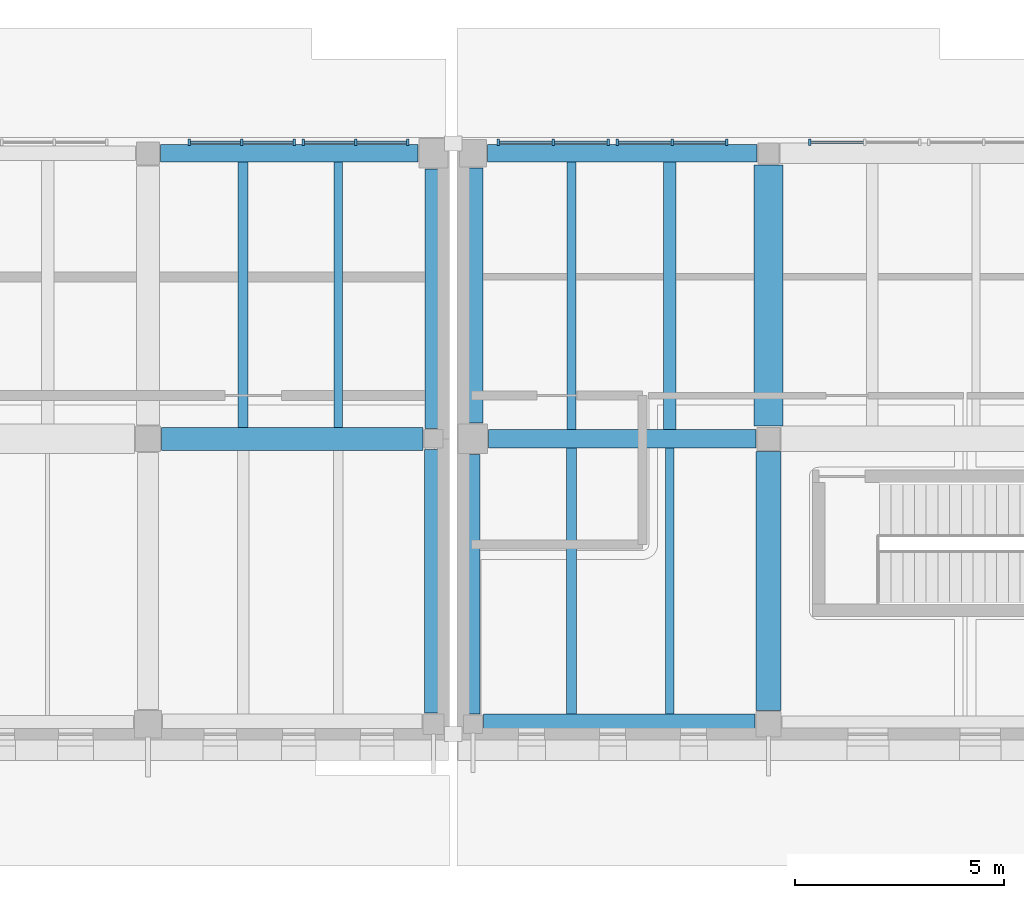
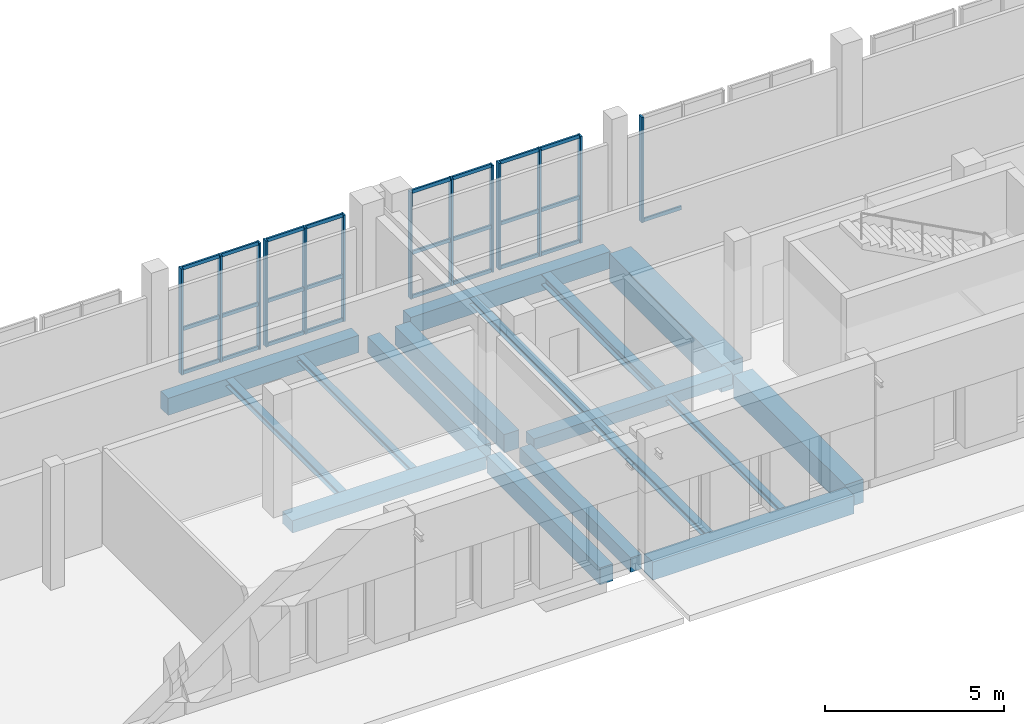
# One storey, part 16 of 77: 38 members, 17 beams, 5 elements without a shape of their own.
"""IFC4 building model written with IfcOpenShell, lengths in metres."""

from ifc_helpers import new_model, si_unit, direction, frame, origin, origin_2d, place, context, subcontext, project, spatial, rectangle, i_section, extrude, material, layer, layer_set, material_profile, profile_set, type_object, element, aggregate, save


model = new_model("IFC4")

# Units and contexts
model_context = context("Model", 3, precision=1e-05, world=origin(), true_north=direction((0.0, 1.0)))
body_context = subcontext(model_context, "Body", "Model", "MODEL_VIEW")
ifc_project = project(units=[si_unit("LENGTHUNIT", "METRE"), si_unit("AREAUNIT", "SQUARE_METRE"), si_unit("VOLUMEUNIT", "CUBIC_METRE"), si_unit("PLANEANGLEUNIT", "RADIAN"), si_unit("MASSUNIT", "GRAM", prefix="KILO")], contexts=[model_context])

# Site, building, storey
site_placement = place(None, origin())
site = spatial("IfcSite", under=ifc_project, at=site_placement, CompositionType="ELEMENT")
building_placement = place(site_placement, origin())
building = spatial("IfcBuilding", under=site, at=building_placement, Name="Vardoun Plaza Health Centre", CompositionType="ELEMENT")
storey_placement = place(building_placement, origin())
storey = spatial("IfcBuildingStorey", under=building, at=storey_placement, Name="L00", CompositionType="ELEMENT", Elevation=0.0)

# Beams
ifc_material_1 = material(Name="Concrete C35/45", Category="concrete")
ifc_material_profile_1 = material_profile(ifc_material_1, rectangle(XDim=0.35009765625, YDim=0.5, at=origin_2d()), Name="RC-BM 350x500")
ifc_profile_set_1 = profile_set([ifc_material_profile_1], Name="Concrete C35/45")
beam_type_1 = type_object("IfcBeamType", Name="B-08", PredefinedType="SPANDREL", material=ifc_profile_set_1)
beam_1_placement = place(storey_placement, frame((106.0400390625, 5.1298828125, -0.544921875), z_axis=(0.0, 1.0, 0.0), x_axis=(-1.0, 0.0, 0.0)))
element("IfcBeam", 1, at=beam_1_placement, inside=storey, type_object=beam_type_1, Name="V5 L00 Beam B-V5-L00-Y25", PredefinedType="SPANDREL", context=body_context, shape_type="SweptSolid", body=[
    extrude(rectangle(XDim=0.35009765625, YDim=0.5, at=origin_2d()), origin(), (0.0, 0.0, 1.0), 6.195068359375),
])
ifc_material_2 = material(Name="Concrete C35/45", Category="concrete")
ifc_material_profile_2 = material_profile(ifc_material_2, rectangle(XDim=0.39990234375, YDim=0.550048828125, at=origin_2d()), Name="RC-BM 400x550")
ifc_profile_set_2 = profile_set([ifc_material_profile_2], Name="Concrete C35/45")
beam_type_2 = type_object("IfcBeamType", Name="B-09", PredefinedType="SPANDREL", material=ifc_profile_set_2)
beam_2_placement = place(storey_placement, frame((105.10009765625, 11.949951171875, -0.590087890625), z_axis=(0.0, 1.0, 0.0), x_axis=(-1.0, 0.0, 0.0)))
element("IfcBeam", 2, at=beam_2_placement, inside=storey, type_object=beam_type_2, Name="V4 L00 Beam B-V4-L00-Y40", PredefinedType="SPANDREL", context=body_context, shape_type="SweptSolid", body=[
    extrude(rectangle(XDim=0.39990234375, YDim=0.550048828125, at=origin_2d()), origin(), (0.0, 0.0, 1.0), 6.195068359375),
])
ifc_material_3 = material(Name="Concrete C35/45", Category="concrete")
ifc_material_profile_3 = material_profile(ifc_material_3, rectangle(XDim=0.419921875, YDim=0.580078125, at=origin_2d()), Name="RC-BM 420x580")
ifc_profile_set_3 = profile_set([ifc_material_profile_3], Name="Concrete C35/45")
beam_type_3 = type_object("IfcBeamType", Name="B-10", PredefinedType="SPANDREL", material=ifc_profile_set_3)
beam_3_placement = place(storey_placement, frame((98.580078125, 18.52001953125, -0.60498046875), z_axis=(1.0, 0.0, 0.0), x_axis=(0.0, 1.0, 0.0)))
element("IfcBeam", 3, at=beam_3_placement, inside=storey, type_object=beam_type_3, Name="V4 L00 Beam B-V4-L00-X24", PredefinedType="SPANDREL", context=body_context, shape_type="SweptSolid", body=[
    extrude(rectangle(XDim=0.419921875, YDim=0.580078125, at=origin_2d()), origin(), (0.0, 0.0, 1.0), 6.14501953125),
])
beam_4_placement = place(storey_placement, frame((105.10009765625, 5.155029296875, -0.60498046875), z_axis=(0.0, 1.0, 0.0), x_axis=(-1.0, 0.0, 0.0)))
element("IfcBeam", 4, at=beam_4_placement, inside=storey, type_object=beam_type_3, Name="V4 L00 Beam B-V4-L00-Y39", PredefinedType="SPANDREL", context=body_context, shape_type="SweptSolid", body=[
    extrude(rectangle(XDim=0.419921875, YDim=0.580078125, at=origin_2d()), origin(), (0.0, 0.0, 1.0), 6.294921875),
])
beam_5_placement = place(storey_placement, frame((106.389892578125, 18.52001953125, -0.5849609375), z_axis=(1.0, 0.0, 0.0), x_axis=(0.0, 1.0, 0.0)))
element("IfcBeam", 5, at=beam_5_placement, inside=storey, type_object=beam_type_3, Name="V5 L00 Beam B-V5-L00-X03", PredefinedType="SPANDREL", context=body_context, shape_type="SweptSolid", body=[
    extrude(rectangle(XDim=0.419921875, YDim=0.580078125, at=origin_2d()), origin(), (0.0, 0.0, 1.0), 6.43505859375),
])
ifc_material_4 = material(Name="Concrete C35/45", Category="concrete")
ifc_material_profile_4 = material_profile(ifc_material_4, rectangle(XDim=0.449951171875, YDim=0.3798828125, at=origin_2d()), Name="RC-BM 450x380")
ifc_profile_set_4 = profile_set([ifc_material_profile_4], Name="Concrete C35/45")
beam_type_4 = type_object("IfcBeamType", Name="B-01", PredefinedType="BEAM", material=ifc_profile_set_4)
beam_6_placement = place(storey_placement, frame((106.4150390625, 11.699951171875, -0.485107421875), z_axis=(1.0, 0.0, 0.0), x_axis=(0.0, 1.0, 0.0)))
element("IfcBeam", 6, at=beam_6_placement, inside=storey, type_object=beam_type_4, Name="V5 L00 Beam B-V5-L00-X02", PredefinedType="BEAM", context=body_context, shape_type="SweptSolid", body=[
    extrude(rectangle(XDim=0.449951171875, YDim=0.3798828125, at=origin_2d()), origin(), (0.0, 0.0, 1.0), 6.385009765625),
])
ifc_material_5 = material(Name="Concrete C35/45", Category="concrete")
ifc_material_profile_5 = material_profile(ifc_material_5, rectangle(XDim=0.47998046875, YDim=0.6201171875, at=origin_2d()), Name="RC-BM 480x620")
ifc_profile_set_5 = profile_set([ifc_material_profile_5], Name="Concrete C35/45")
beam_type_5 = type_object("IfcBeamType", Name="B-12", PredefinedType="SPANDREL", material=ifc_profile_set_5)
beam_7_placement = place(storey_placement, frame((106.2900390625, 4.8798828125, -0.60498046875), z_axis=(1.0, 0.0, 0.0), x_axis=(0.0, 1.0, 0.0)))
element("IfcBeam", 7, at=beam_7_placement, inside=storey, type_object=beam_type_5, Name="V5 L00 Beam B-V5-L00-X01", PredefinedType="SPANDREL", context=body_context, shape_type="SweptSolid", body=[
    extrude(rectangle(XDim=0.47998046875, YDim=0.6201171875, at=origin_2d()), origin(), (0.0, 0.0, 1.0), 6.485107421875),
])
beam_8_placement = place(storey_placement, frame((106.0400390625, 12.074951171875, -0.60498046875), z_axis=(0.0, 1.0, 0.0), x_axis=(-1.0, 0.0, 0.0)))
element("IfcBeam", 8, at=beam_8_placement, inside=storey, type_object=beam_type_5, Name="V5 L00 Beam B-V5-L00-Y26", PredefinedType="SPANDREL", context=body_context, shape_type="SweptSolid", body=[
    extrude(rectangle(XDim=0.47998046875, YDim=0.6201171875, at=origin_2d()), origin(), (0.0, 0.0, 1.0), 6.094970703125),
])
ifc_material_6 = material(Name="Concrete C35/45", Category="concrete")
ifc_material_profile_6 = material_profile(ifc_material_6, rectangle(XDim=0.550048828125, YDim=0.419921875, at=origin_2d()), Name="RC-BM 550x420")
ifc_profile_set_6 = profile_set([ifc_material_profile_6], Name="Concrete C35/45")
beam_type_6 = type_object("IfcBeamType", Name="B-03", PredefinedType="BEAM", material=ifc_profile_set_6)
beam_9_placement = place(storey_placement, frame((98.60498046875, 11.699951171875, -0.52490234375), z_axis=(1.0, 0.0, 0.0), x_axis=(0.0, 1.0, 0.0)))
element("IfcBeam", 9, at=beam_9_placement, inside=storey, type_object=beam_type_6, Name="V4 L00 Beam B-V4-L00-X23", PredefinedType="BEAM", context=body_context, shape_type="SweptSolid", body=[
    extrude(rectangle(XDim=0.550048828125, YDim=0.419921875, at=origin_2d()), origin(), (0.0, 0.0, 1.0), 6.2451171875),
])
ifc_material_7 = material(Name="Concrete C40/50", Category="concrete")
ifc_material_profile_7 = material_profile(ifc_material_7, rectangle(XDim=0.60009765625, YDim=0.800048828125, at=origin_2d()), Name="RC-BM 600x800")
ifc_profile_set_7 = profile_set([ifc_material_profile_7], Name="Concrete C40/50")
beam_type_7 = type_object("IfcBeamType", Name="B-15", PredefinedType="JOIST", material=ifc_profile_set_7)
beam_10_placement = place(storey_placement, frame((113.10009765625, 5.205078125, -0.695068359375), z_axis=(0.0, 1.0, 0.0), x_axis=(-1.0, 0.0, 0.0)))
element("IfcBeam", 10, at=beam_10_placement, inside=storey, type_object=beam_type_7, Name="V5 L00 Beam B-V5-L00-Y27", PredefinedType="JOIST", context=body_context, shape_type="SweptSolid", body=[
    extrude(rectangle(XDim=0.60009765625, YDim=0.800048828125, at=origin_2d()), origin(), (0.0, 0.0, 1.0), 6.19482421875),
])
ifc_material_8 = material(Name="Concrete C40/50", Category="concrete")
ifc_material_profile_8 = material_profile(ifc_material_8, rectangle(XDim=0.699951171875, YDim=0.949951171875, at=origin_2d()), Name="RC-BM 700x950")
ifc_profile_set_8 = profile_set([ifc_material_profile_8], Name="Concrete C40/50")
beam_type_8 = type_object("IfcBeamType", Name="B-16", PredefinedType="LINTEL", material=ifc_profile_set_8)
beam_11_placement = place(storey_placement, frame((113.10009765625, 12.0, -0.77001953125), z_axis=(0.0, 1.0, 0.0), x_axis=(-1.0, 0.0, 0.0)))
element("IfcBeam", 11, at=beam_11_placement, inside=storey, type_object=beam_type_8, Name="V5 L00 Beam B-V5-L00-Y28", PredefinedType="LINTEL", context=body_context, shape_type="SweptSolid", body=[
    extrude(rectangle(XDim=0.699951171875, YDim=0.949951171875, at=origin_2d()), origin(), (0.0, 0.0, 1.0), 6.2451171875),
])
ifc_material_9 = material(Name="Steel S355J2", Category="steel")
ifc_material_profile_9 = material_profile(ifc_material_9, i_section(OverallWidth=0.199951171875, OverallDepth=0.18994140625, WebThickness=0.006591796875, FlangeThickness=0.010009765625, FilletRadius=0.01806640625, at=origin_2d()), Name="HEA 200")
ifc_profile_set_9 = profile_set([ifc_material_profile_9], Name="Steel S355J2")
beam_type_9 = type_object("IfcBeamType", Name="SB-09", PredefinedType="BEAM", material=ifc_profile_set_9)
beam_12_placement = place(storey_placement, frame((102.826904296875, 11.97509765625, -0.409912109375), z_axis=(0.0, 1.0, 0.0), x_axis=(-1.0, 0.0, 0.0)))
element("IfcBeam", 12, at=beam_12_placement, inside=storey, type_object=beam_type_9, Name="V4 L00 Secondary Floor Beam SJ-V4-L00-24", PredefinedType="BEAM", context=body_context, shape_type="SweptSolid", body=[
    extrude(i_section(OverallWidth=0.199951171875, OverallDepth=0.18994140625, WebThickness=0.006591796875, FlangeThickness=0.010009765625, FilletRadius=0.01806640625, at=origin_2d()), origin(), (0.0, 0.0, 1.0), 6.3349609375),
])
beam_13_placement = place(storey_placement, frame((110.7470703125, 5.1201171875, -0.389892578125), z_axis=(0.0, 1.0, 0.0), x_axis=(-1.0, 0.0, 0.0)))
element("IfcBeam", 13, at=beam_13_placement, inside=storey, type_object=beam_type_9, Name="V5 L00 Secondary Floor Beam SJ-V5-L00-03", PredefinedType="BEAM", context=body_context, shape_type="SweptSolid", body=[
    extrude(i_section(OverallWidth=0.199951171875, OverallDepth=0.18994140625, WebThickness=0.006591796875, FlangeThickness=0.010009765625, FilletRadius=0.01806640625, at=origin_2d()), origin(), (0.0, 0.0, 1.0), 6.35498046875),
])
ifc_material_10 = material(Name="Steel S355J2", Category="steel")
ifc_material_profile_10 = material_profile(ifc_material_10, i_section(OverallWidth=0.219970703125, OverallDepth=0.2099609375, WebThickness=0.007080078125, FlangeThickness=0.010986328125, FilletRadius=0.01806640625, at=origin_2d()), Name="HEA 220")
ifc_profile_set_10 = profile_set([ifc_material_profile_10], Name="Steel S355J2")
beam_type_10 = type_object("IfcBeamType", Name="SB-08", PredefinedType="BEAM", material=ifc_profile_set_10)
beam_14_placement = place(storey_placement, frame((108.39306640625, 11.925048828125, -0.39990234375), z_axis=(0.0, 1.0, 0.0), x_axis=(-1.0, 0.0, 0.0)))
element("IfcBeam", 14, at=beam_14_placement, inside=storey, type_object=beam_type_10, Name="V5 L00 Secondary Floor Beam SJ-V5-L00-02", PredefinedType="BEAM", context=body_context, shape_type="SweptSolid", body=[
    extrude(i_section(OverallWidth=0.219970703125, OverallDepth=0.2099609375, WebThickness=0.007080078125, FlangeThickness=0.010986328125, FilletRadius=0.01806640625, at=origin_2d()), origin(), (0.0, 0.0, 1.0), 6.385009765625),
])
ifc_material_11 = material(Name="Steel S355J2", Category="steel")
ifc_material_profile_11 = material_profile(ifc_material_11, i_section(OverallWidth=0.239990234375, OverallDepth=0.22998046875, WebThickness=0.007568359375, FlangeThickness=0.011962890625, FilletRadius=0.02099609375, at=origin_2d()), Name="HEA 240")
ifc_profile_set_11 = profile_set([ifc_material_profile_11], Name="Steel S355J2")
beam_type_11 = type_object("IfcBeamType", Name="SB-07", PredefinedType="BEAM", material=ifc_profile_set_11)
beam_15_placement = place(storey_placement, frame((100.552978515625, 11.97509765625, -0.429931640625), z_axis=(0.0, 1.0, 0.0), x_axis=(-1.0, 0.0, 0.0)))
element("IfcBeam", 15, at=beam_15_placement, inside=storey, type_object=beam_type_11, Name="V4 L00 Secondary Floor Beam SJ-V4-L00-22", PredefinedType="BEAM", context=body_context, shape_type="SweptSolid", body=[
    extrude(i_section(OverallWidth=0.239990234375, OverallDepth=0.22998046875, WebThickness=0.007568359375, FlangeThickness=0.011962890625, FilletRadius=0.02099609375, at=origin_2d()), origin(), (0.0, 0.0, 1.0), 6.3349609375),
])
beam_16_placement = place(storey_placement, frame((108.39306640625, 5.1201171875, -0.409912109375), z_axis=(0.0, 1.0, 0.0), x_axis=(-1.0, 0.0, 0.0)))
element("IfcBeam", 16, at=beam_16_placement, inside=storey, type_object=beam_type_11, Name="V5 L00 Secondary Floor Beam SJ-V5-L00-01", PredefinedType="BEAM", context=body_context, shape_type="SweptSolid", body=[
    extrude(i_section(OverallWidth=0.239990234375, OverallDepth=0.22998046875, WebThickness=0.007568359375, FlangeThickness=0.011962890625, FilletRadius=0.02099609375, at=origin_2d()), origin(), (0.0, 0.0, 1.0), 6.35498046875),
])
ifc_material_12 = material(Name="Steel S355J2", Category="steel")
ifc_material_profile_12 = material_profile(ifc_material_12, i_section(OverallWidth=0.300048828125, OverallDepth=0.360107421875, WebThickness=0.012451171875, FlangeThickness=0.0224609375, FilletRadius=0.027099609375, at=origin_2d()), Name="HEB 360")
ifc_profile_set_12 = profile_set([ifc_material_profile_12], Name="Steel S355J2")
beam_type_12 = type_object("IfcBeamType", Name="RB-04", PredefinedType="BEAM", material=ifc_profile_set_12)
beam_17_placement = place(storey_placement, frame((110.7470703125, 11.925048828125, -0.47509765625), z_axis=(0.0, 1.0, 0.0), x_axis=(-1.0, 0.0, 0.0)))
element("IfcBeam", 17, at=beam_17_placement, inside=storey, type_object=beam_type_12, Name="V5 L00 Secondary Floor Beam SJ-V5-L00-04", PredefinedType="BEAM", context=body_context, shape_type="SweptSolid", body=[
    extrude(i_section(OverallWidth=0.300048828125, OverallDepth=0.360107421875, WebThickness=0.012451171875, FlangeThickness=0.0224609375, FilletRadius=0.027099609375, at=origin_2d()), origin(), (0.0, 0.0, 1.0), 6.385009765625),
])

# Curtain wall, members
ifc_material_13 = material(Name="Aluminium Alloy EN AW-6063-T6 and Low-E Glass", Category="aluminium")
ifc_layer = layer(ifc_material_13, 0.14990234375)
ifc_layer_set = layer_set([ifc_layer], Name="Aluminium Alloy EN AW-6063-T6 and Low-E Glass")
curtain_wall_type = type_object("IfcCurtainWallType", Name="CW-03", PredefinedType="NOTDEFINED", material=ifc_layer_set)
curtain_wall_1_placement = place(storey_placement, origin())
curtain_wall_1 = element("IfcCurtainWall", 18, at=curtain_wall_1_placement, inside=storey, type_object=curtain_wall_type, Name="Curtain Wall CW-V4-115", PredefinedType="NOTDEFINED")
ifc_material_14 = material(Name="Aluminium Alloy EN AW-6063-T6", Category="aluminium")
ifc_material_profile_13 = material_profile(ifc_material_14, rectangle(XDim=0.159912109375, YDim=0.06005859375, at=origin_2d()), Name="CWM 60x160")
ifc_profile_set_13 = profile_set([ifc_material_profile_13], Name="Aluminium Alloy EN AW-6063-T6")
member_type_1 = type_object("IfcMemberType", Name="CW-M1", PredefinedType="MULLION", material=ifc_profile_set_13)
member_1_placement = place(storey_placement, frame((99.27001953125, 18.780029296875, 0.0), z_axis=(0.0, 0.0, 1.0), x_axis=(0.0, 1.0, 0.0)))
member_1 = element("IfcMember", 19, at=member_1_placement, type_object=member_type_1, Name="CW-V4-115 mullion 1", PredefinedType="MULLION", context=body_context, shape_type="SweptSolid", body=[
    extrude(rectangle(XDim=0.159912109375, YDim=0.06005859375, at=origin_2d()), origin(), (0.0, 0.0, 1.0), 3.6201171875),
])
member_2_placement = place(storey_placement, frame((100.52001953125, 18.780029296875, 0.0), z_axis=(0.0, 0.0, 1.0), x_axis=(0.0, 1.0, 0.0)))
member_2 = element("IfcMember", 20, at=member_2_placement, type_object=member_type_1, Name="CW-V4-115 mullion 2", PredefinedType="MULLION", context=body_context, shape_type="SweptSolid", body=[
    extrude(rectangle(XDim=0.159912109375, YDim=0.06005859375, at=origin_2d()), origin(), (0.0, 0.0, 1.0), 3.6201171875),
])
member_3_placement = place(storey_placement, frame((101.77001953125, 18.780029296875, 0.0), z_axis=(0.0, 0.0, 1.0), x_axis=(0.0, 1.0, 0.0)))
member_3 = element("IfcMember", 21, at=member_3_placement, type_object=member_type_1, Name="CW-V4-115 mullion 3", PredefinedType="MULLION", context=body_context, shape_type="SweptSolid", body=[
    extrude(rectangle(XDim=0.159912109375, YDim=0.06005859375, at=origin_2d()), origin(), (0.0, 0.0, 1.0), 3.6201171875),
])

curtain_wall_2_placement = place(storey_placement, origin())
curtain_wall_2 = element("IfcCurtainWall", 22, at=curtain_wall_2_placement, inside=storey, type_object=curtain_wall_type, Name="Curtain Wall CW-V4-116", PredefinedType="NOTDEFINED")
member_4_placement = place(storey_placement, frame((101.989990234375, 18.780029296875, 0.0), z_axis=(0.0, 0.0, 1.0), x_axis=(0.0, 1.0, 0.0)))
member_4 = element("IfcMember", 23, at=member_4_placement, type_object=member_type_1, Name="CW-V4-116 mullion 1", PredefinedType="MULLION", context=body_context, shape_type="SweptSolid", body=[
    extrude(rectangle(XDim=0.159912109375, YDim=0.06005859375, at=origin_2d()), origin(), (0.0, 0.0, 1.0), 3.6201171875),
])
member_5_placement = place(storey_placement, frame((103.239990234375, 18.780029296875, 0.0), z_axis=(0.0, 0.0, 1.0), x_axis=(0.0, 1.0, 0.0)))
member_5 = element("IfcMember", 24, at=member_5_placement, type_object=member_type_1, Name="CW-V4-116 mullion 2", PredefinedType="MULLION", context=body_context, shape_type="SweptSolid", body=[
    extrude(rectangle(XDim=0.159912109375, YDim=0.06005859375, at=origin_2d()), origin(), (0.0, 0.0, 1.0), 3.6201171875),
])
member_6_placement = place(storey_placement, frame((104.489990234375, 18.780029296875, 0.0), z_axis=(0.0, 0.0, 1.0), x_axis=(0.0, 1.0, 0.0)))
member_6 = element("IfcMember", 25, at=member_6_placement, type_object=member_type_1, Name="CW-V4-116 mullion 3", PredefinedType="MULLION", context=body_context, shape_type="SweptSolid", body=[
    extrude(rectangle(XDim=0.159912109375, YDim=0.06005859375, at=origin_2d()), origin(), (0.0, 0.0, 1.0), 3.6201171875),
])

curtain_wall_3_placement = place(storey_placement, origin())
curtain_wall_3 = element("IfcCurtainWall", 26, at=curtain_wall_3_placement, inside=storey, type_object=curtain_wall_type, Name="Curtain Wall CW-V5-133", PredefinedType="NOTDEFINED")
member_7_placement = place(storey_placement, frame((106.650146484375, 18.780029296875, 0.0), z_axis=(0.0, 0.0, 1.0), x_axis=(0.0, 1.0, 0.0)))
member_7 = element("IfcMember", 27, at=member_7_placement, type_object=member_type_1, Name="CW-V5-133 mullion 1", PredefinedType="MULLION", context=body_context, shape_type="SweptSolid", body=[
    extrude(rectangle(XDim=0.159912109375, YDim=0.06005859375, at=origin_2d()), origin(), (0.0, 0.0, 1.0), 3.639892578125),
])
member_8_placement = place(storey_placement, frame((107.9599609375, 18.780029296875, 0.0), z_axis=(0.0, 0.0, 1.0), x_axis=(0.0, 1.0, 0.0)))
member_8 = element("IfcMember", 28, at=member_8_placement, type_object=member_type_1, Name="CW-V5-133 mullion 2", PredefinedType="MULLION", context=body_context, shape_type="SweptSolid", body=[
    extrude(rectangle(XDim=0.159912109375, YDim=0.06005859375, at=origin_2d()), origin(), (0.0, 0.0, 1.0), 3.639892578125),
])
member_9_placement = place(storey_placement, frame((109.27001953125, 18.780029296875, 0.0), z_axis=(0.0, 0.0, 1.0), x_axis=(0.0, 1.0, 0.0)))
member_9 = element("IfcMember", 29, at=member_9_placement, type_object=member_type_1, Name="CW-V5-133 mullion 3", PredefinedType="MULLION", context=body_context, shape_type="SweptSolid", body=[
    extrude(rectangle(XDim=0.159912109375, YDim=0.06005859375, at=origin_2d()), origin(), (0.0, 0.0, 1.0), 3.639892578125),
])

curtain_wall_4_placement = place(storey_placement, origin())
curtain_wall_4 = element("IfcCurtainWall", 30, at=curtain_wall_4_placement, inside=storey, type_object=curtain_wall_type, Name="Curtain Wall CW-V5-134", PredefinedType="NOTDEFINED")
member_10_placement = place(storey_placement, frame((109.489990234375, 18.780029296875, 0.0), z_axis=(0.0, 0.0, 1.0), x_axis=(0.0, 1.0, 0.0)))
member_10 = element("IfcMember", 31, at=member_10_placement, type_object=member_type_1, Name="CW-V5-134 mullion 1", PredefinedType="MULLION", context=body_context, shape_type="SweptSolid", body=[
    extrude(rectangle(XDim=0.159912109375, YDim=0.06005859375, at=origin_2d()), origin(), (0.0, 0.0, 1.0), 3.639892578125),
])
member_11_placement = place(storey_placement, frame((110.800048828125, 18.780029296875, 0.0), z_axis=(0.0, 0.0, 1.0), x_axis=(0.0, 1.0, 0.0)))
member_11 = element("IfcMember", 32, at=member_11_placement, type_object=member_type_1, Name="CW-V5-134 mullion 2", PredefinedType="MULLION", context=body_context, shape_type="SweptSolid", body=[
    extrude(rectangle(XDim=0.159912109375, YDim=0.06005859375, at=origin_2d()), origin(), (0.0, 0.0, 1.0), 3.639892578125),
])
member_12_placement = place(storey_placement, frame((112.110107421875, 18.780029296875, 0.0), z_axis=(0.0, 0.0, 1.0), x_axis=(0.0, 1.0, 0.0)))
member_12 = element("IfcMember", 33, at=member_12_placement, type_object=member_type_1, Name="CW-V5-134 mullion 3", PredefinedType="MULLION", context=body_context, shape_type="SweptSolid", body=[
    extrude(rectangle(XDim=0.159912109375, YDim=0.06005859375, at=origin_2d()), origin(), (0.0, 0.0, 1.0), 3.639892578125),
])

# Curtain wall, member
curtain_wall_5_placement = place(storey_placement, origin())
curtain_wall_5 = element("IfcCurtainWall", 34, at=curtain_wall_5_placement, inside=storey, type_object=curtain_wall_type, Name="Curtain Wall CW-V5-135", PredefinedType="NOTDEFINED")
member_13_placement = place(storey_placement, frame((114.090087890625, 18.780029296875, 0.0), z_axis=(0.0, 0.0, 1.0), x_axis=(0.0, 1.0, 0.0)))
member_13 = element("IfcMember", 35, at=member_13_placement, type_object=member_type_1, Name="CW-V5-135 mullion 1", PredefinedType="MULLION", context=body_context, shape_type="SweptSolid", body=[
    extrude(rectangle(XDim=0.159912109375, YDim=0.06005859375, at=origin_2d()), origin(), (0.0, 0.0, 1.0), 3.590087890625),
])

# Member
ifc_material_15 = material(Name="Aluminium Alloy EN AW-6063-T6", Category="aluminium")
ifc_material_profile_14 = material_profile(ifc_material_15, rectangle(XDim=0.06005859375, YDim=0.1201171875, at=origin_2d()), Name="CWT 60x120")
ifc_profile_set_14 = profile_set([ifc_material_profile_14], Name="Aluminium Alloy EN AW-6063-T6")
member_type_2 = type_object("IfcMemberType", Name="CW-T1", PredefinedType="USERDEFINED", material=ifc_profile_set_14)
member_14_placement = place(storey_placement, frame((99.300048828125, 18.780029296875, 0.030029296875), z_axis=(1.0, 0.0, 0.0), x_axis=(0.0, 1.0, 0.0)))
member_14 = element("IfcMember", 36, at=member_14_placement, type_object=member_type_2, Name="CW-V4-115 transom 1.1", ObjectType="TRANSOM", PredefinedType="USERDEFINED", context=body_context, shape_type="SweptSolid", body=[
    extrude(rectangle(XDim=0.06005859375, YDim=0.1201171875, at=origin_2d()), origin(), (0.0, 0.0, 1.0), 1.18994140625),
])

member_15_placement = place(storey_placement, frame((99.300048828125, 18.780029296875, 1.5205078125), z_axis=(1.0, 0.0, 0.0), x_axis=(0.0, 1.0, 0.0)))
member_15 = element("IfcMember", 37, at=member_15_placement, type_object=member_type_2, Name="CW-V4-115 transom 1.2", ObjectType="TRANSOM", PredefinedType="USERDEFINED", context=body_context, shape_type="SweptSolid", body=[
    extrude(rectangle(XDim=0.06005859375, YDim=0.1201171875, at=origin_2d()), origin(), (0.0, 0.0, 1.0), 1.18994140625),
])

member_16_placement = place(storey_placement, frame((99.300048828125, 18.780029296875, 3.590087890625), z_axis=(1.0, 0.0, 0.0), x_axis=(0.0, 1.0, 0.0)))
member_16 = element("IfcMember", 38, at=member_16_placement, type_object=member_type_2, Name="CW-V4-115 transom 1.3", ObjectType="TRANSOM", PredefinedType="USERDEFINED", context=body_context, shape_type="SweptSolid", body=[
    extrude(rectangle(XDim=0.06005859375, YDim=0.1201171875, at=origin_2d()), origin(), (0.0, 0.0, 1.0), 1.18994140625),
])

member_17_placement = place(storey_placement, frame((100.550048828125, 18.780029296875, 0.030029296875), z_axis=(1.0, 0.0, 0.0), x_axis=(0.0, 1.0, 0.0)))
member_17 = element("IfcMember", 39, at=member_17_placement, type_object=member_type_2, Name="CW-V4-115 transom 2.1", ObjectType="TRANSOM", PredefinedType="USERDEFINED", context=body_context, shape_type="SweptSolid", body=[
    extrude(rectangle(XDim=0.06005859375, YDim=0.1201171875, at=origin_2d()), origin(), (0.0, 0.0, 1.0), 1.18994140625),
])

member_18_placement = place(storey_placement, frame((100.550048828125, 18.780029296875, 1.5205078125), z_axis=(1.0, 0.0, 0.0), x_axis=(0.0, 1.0, 0.0)))
member_18 = element("IfcMember", 40, at=member_18_placement, type_object=member_type_2, Name="CW-V4-115 transom 2.2", ObjectType="TRANSOM", PredefinedType="USERDEFINED", context=body_context, shape_type="SweptSolid", body=[
    extrude(rectangle(XDim=0.06005859375, YDim=0.1201171875, at=origin_2d()), origin(), (0.0, 0.0, 1.0), 1.18994140625),
])

member_19_placement = place(storey_placement, frame((100.550048828125, 18.780029296875, 3.590087890625), z_axis=(1.0, 0.0, 0.0), x_axis=(0.0, 1.0, 0.0)))
member_19 = element("IfcMember", 41, at=member_19_placement, type_object=member_type_2, Name="CW-V4-115 transom 2.3", ObjectType="TRANSOM", PredefinedType="USERDEFINED", context=body_context, shape_type="SweptSolid", body=[
    extrude(rectangle(XDim=0.06005859375, YDim=0.1201171875, at=origin_2d()), origin(), (0.0, 0.0, 1.0), 1.18994140625),
])

aggregate(curtain_wall_1, [member_1, member_2, member_3, member_14, member_15, member_16, member_17, member_18, member_19])

member_20_placement = place(storey_placement, frame((102.02001953125, 18.780029296875, 0.030029296875), z_axis=(1.0, 0.0, 0.0), x_axis=(0.0, 1.0, 0.0)))
member_20 = element("IfcMember", 42, at=member_20_placement, type_object=member_type_2, Name="CW-V4-116 transom 1.1", ObjectType="TRANSOM", PredefinedType="USERDEFINED", context=body_context, shape_type="SweptSolid", body=[
    extrude(rectangle(XDim=0.06005859375, YDim=0.1201171875, at=origin_2d()), origin(), (0.0, 0.0, 1.0), 1.18994140625),
])

member_21_placement = place(storey_placement, frame((102.02001953125, 18.780029296875, 1.5205078125), z_axis=(1.0, 0.0, 0.0), x_axis=(0.0, 1.0, 0.0)))
member_21 = element("IfcMember", 43, at=member_21_placement, type_object=member_type_2, Name="CW-V4-116 transom 1.2", ObjectType="TRANSOM", PredefinedType="USERDEFINED", context=body_context, shape_type="SweptSolid", body=[
    extrude(rectangle(XDim=0.06005859375, YDim=0.1201171875, at=origin_2d()), origin(), (0.0, 0.0, 1.0), 1.18994140625),
])

member_22_placement = place(storey_placement, frame((102.02001953125, 18.780029296875, 3.590087890625), z_axis=(1.0, 0.0, 0.0), x_axis=(0.0, 1.0, 0.0)))
member_22 = element("IfcMember", 44, at=member_22_placement, type_object=member_type_2, Name="CW-V4-116 transom 1.3", ObjectType="TRANSOM", PredefinedType="USERDEFINED", context=body_context, shape_type="SweptSolid", body=[
    extrude(rectangle(XDim=0.06005859375, YDim=0.1201171875, at=origin_2d()), origin(), (0.0, 0.0, 1.0), 1.18994140625),
])

member_23_placement = place(storey_placement, frame((103.27001953125, 18.780029296875, 0.030029296875), z_axis=(1.0, 0.0, 0.0), x_axis=(0.0, 1.0, 0.0)))
member_23 = element("IfcMember", 45, at=member_23_placement, type_object=member_type_2, Name="CW-V4-116 transom 2.1", ObjectType="TRANSOM", PredefinedType="USERDEFINED", context=body_context, shape_type="SweptSolid", body=[
    extrude(rectangle(XDim=0.06005859375, YDim=0.1201171875, at=origin_2d()), origin(), (0.0, 0.0, 1.0), 1.18994140625),
])

member_24_placement = place(storey_placement, frame((103.27001953125, 18.780029296875, 1.5205078125), z_axis=(1.0, 0.0, 0.0), x_axis=(0.0, 1.0, 0.0)))
member_24 = element("IfcMember", 46, at=member_24_placement, type_object=member_type_2, Name="CW-V4-116 transom 2.2", ObjectType="TRANSOM", PredefinedType="USERDEFINED", context=body_context, shape_type="SweptSolid", body=[
    extrude(rectangle(XDim=0.06005859375, YDim=0.1201171875, at=origin_2d()), origin(), (0.0, 0.0, 1.0), 1.18994140625),
])

member_25_placement = place(storey_placement, frame((103.27001953125, 18.780029296875, 3.590087890625), z_axis=(1.0, 0.0, 0.0), x_axis=(0.0, 1.0, 0.0)))
member_25 = element("IfcMember", 47, at=member_25_placement, type_object=member_type_2, Name="CW-V4-116 transom 2.3", ObjectType="TRANSOM", PredefinedType="USERDEFINED", context=body_context, shape_type="SweptSolid", body=[
    extrude(rectangle(XDim=0.06005859375, YDim=0.1201171875, at=origin_2d()), origin(), (0.0, 0.0, 1.0), 1.18994140625),
])

aggregate(curtain_wall_2, [member_4, member_5, member_6, member_20, member_21, member_22, member_23, member_24, member_25])

member_26_placement = place(storey_placement, frame((106.679931640625, 18.780029296875, 0.030029296875), z_axis=(1.0, 0.0, 0.0), x_axis=(0.0, 1.0, 0.0)))
member_26 = element("IfcMember", 48, at=member_26_placement, type_object=member_type_2, Name="CW-V5-133 transom 1.1", ObjectType="TRANSOM", PredefinedType="USERDEFINED", context=body_context, shape_type="SweptSolid", body=[
    extrude(rectangle(XDim=0.06005859375, YDim=0.1201171875, at=origin_2d()), origin(), (0.0, 0.0, 1.0), 1.25),
])

member_27_placement = place(storey_placement, frame((106.679931640625, 18.780029296875, 1.52880859375), z_axis=(1.0, 0.0, 0.0), x_axis=(0.0, 1.0, 0.0)))
member_27 = element("IfcMember", 49, at=member_27_placement, type_object=member_type_2, Name="CW-V5-133 transom 1.2", ObjectType="TRANSOM", PredefinedType="USERDEFINED", context=body_context, shape_type="SweptSolid", body=[
    extrude(rectangle(XDim=0.06005859375, YDim=0.1201171875, at=origin_2d()), origin(), (0.0, 0.0, 1.0), 1.25),
])

member_28_placement = place(storey_placement, frame((106.679931640625, 18.780029296875, 3.610107421875), z_axis=(1.0, 0.0, 0.0), x_axis=(0.0, 1.0, 0.0)))
member_28 = element("IfcMember", 50, at=member_28_placement, type_object=member_type_2, Name="CW-V5-133 transom 1.3", ObjectType="TRANSOM", PredefinedType="USERDEFINED", context=body_context, shape_type="SweptSolid", body=[
    extrude(rectangle(XDim=0.06005859375, YDim=0.1201171875, at=origin_2d()), origin(), (0.0, 0.0, 1.0), 1.25),
])

member_29_placement = place(storey_placement, frame((107.989990234375, 18.780029296875, 0.030029296875), z_axis=(1.0, 0.0, 0.0), x_axis=(0.0, 1.0, 0.0)))
member_29 = element("IfcMember", 51, at=member_29_placement, type_object=member_type_2, Name="CW-V5-133 transom 2.1", ObjectType="TRANSOM", PredefinedType="USERDEFINED", context=body_context, shape_type="SweptSolid", body=[
    extrude(rectangle(XDim=0.06005859375, YDim=0.1201171875, at=origin_2d()), origin(), (0.0, 0.0, 1.0), 1.25),
])

member_30_placement = place(storey_placement, frame((107.989990234375, 18.780029296875, 1.52880859375), z_axis=(1.0, 0.0, 0.0), x_axis=(0.0, 1.0, 0.0)))
member_30 = element("IfcMember", 52, at=member_30_placement, type_object=member_type_2, Name="CW-V5-133 transom 2.2", ObjectType="TRANSOM", PredefinedType="USERDEFINED", context=body_context, shape_type="SweptSolid", body=[
    extrude(rectangle(XDim=0.06005859375, YDim=0.1201171875, at=origin_2d()), origin(), (0.0, 0.0, 1.0), 1.25),
])

member_31_placement = place(storey_placement, frame((107.989990234375, 18.780029296875, 3.610107421875), z_axis=(1.0, 0.0, 0.0), x_axis=(0.0, 1.0, 0.0)))
member_31 = element("IfcMember", 53, at=member_31_placement, type_object=member_type_2, Name="CW-V5-133 transom 2.3", ObjectType="TRANSOM", PredefinedType="USERDEFINED", context=body_context, shape_type="SweptSolid", body=[
    extrude(rectangle(XDim=0.06005859375, YDim=0.1201171875, at=origin_2d()), origin(), (0.0, 0.0, 1.0), 1.25),
])

aggregate(curtain_wall_3, [member_7, member_8, member_9, member_26, member_27, member_28, member_29, member_30, member_31])

member_32_placement = place(storey_placement, frame((109.52001953125, 18.780029296875, 0.030029296875), z_axis=(1.0, 0.0, 0.0), x_axis=(0.0, 1.0, 0.0)))
member_32 = element("IfcMember", 54, at=member_32_placement, type_object=member_type_2, Name="CW-V5-134 transom 1.1", ObjectType="TRANSOM", PredefinedType="USERDEFINED", context=body_context, shape_type="SweptSolid", body=[
    extrude(rectangle(XDim=0.06005859375, YDim=0.1201171875, at=origin_2d()), origin(), (0.0, 0.0, 1.0), 1.25),
])

member_33_placement = place(storey_placement, frame((109.52001953125, 18.780029296875, 1.52880859375), z_axis=(1.0, 0.0, 0.0), x_axis=(0.0, 1.0, 0.0)))
member_33 = element("IfcMember", 55, at=member_33_placement, type_object=member_type_2, Name="CW-V5-134 transom 1.2", ObjectType="TRANSOM", PredefinedType="USERDEFINED", context=body_context, shape_type="SweptSolid", body=[
    extrude(rectangle(XDim=0.06005859375, YDim=0.1201171875, at=origin_2d()), origin(), (0.0, 0.0, 1.0), 1.25),
])

member_34_placement = place(storey_placement, frame((109.52001953125, 18.780029296875, 3.610107421875), z_axis=(1.0, 0.0, 0.0), x_axis=(0.0, 1.0, 0.0)))
member_34 = element("IfcMember", 56, at=member_34_placement, type_object=member_type_2, Name="CW-V5-134 transom 1.3", ObjectType="TRANSOM", PredefinedType="USERDEFINED", context=body_context, shape_type="SweptSolid", body=[
    extrude(rectangle(XDim=0.06005859375, YDim=0.1201171875, at=origin_2d()), origin(), (0.0, 0.0, 1.0), 1.25),
])

member_35_placement = place(storey_placement, frame((110.830078125, 18.780029296875, 0.030029296875), z_axis=(1.0, 0.0, 0.0), x_axis=(0.0, 1.0, 0.0)))
member_35 = element("IfcMember", 57, at=member_35_placement, type_object=member_type_2, Name="CW-V5-134 transom 2.1", ObjectType="TRANSOM", PredefinedType="USERDEFINED", context=body_context, shape_type="SweptSolid", body=[
    extrude(rectangle(XDim=0.06005859375, YDim=0.1201171875, at=origin_2d()), origin(), (0.0, 0.0, 1.0), 1.25),
])

member_36_placement = place(storey_placement, frame((110.830078125, 18.780029296875, 1.52880859375), z_axis=(1.0, 0.0, 0.0), x_axis=(0.0, 1.0, 0.0)))
member_36 = element("IfcMember", 58, at=member_36_placement, type_object=member_type_2, Name="CW-V5-134 transom 2.2", ObjectType="TRANSOM", PredefinedType="USERDEFINED", context=body_context, shape_type="SweptSolid", body=[
    extrude(rectangle(XDim=0.06005859375, YDim=0.1201171875, at=origin_2d()), origin(), (0.0, 0.0, 1.0), 1.25),
])

member_37_placement = place(storey_placement, frame((110.830078125, 18.780029296875, 3.610107421875), z_axis=(1.0, 0.0, 0.0), x_axis=(0.0, 1.0, 0.0)))
member_37 = element("IfcMember", 59, at=member_37_placement, type_object=member_type_2, Name="CW-V5-134 transom 2.3", ObjectType="TRANSOM", PredefinedType="USERDEFINED", context=body_context, shape_type="SweptSolid", body=[
    extrude(rectangle(XDim=0.06005859375, YDim=0.1201171875, at=origin_2d()), origin(), (0.0, 0.0, 1.0), 1.25),
])

aggregate(curtain_wall_4, [member_10, member_11, member_12, member_32, member_33, member_34, member_35, member_36, member_37])

member_38_placement = place(storey_placement, frame((114.1201171875, 18.780029296875, 0.030029296875), z_axis=(1.0, 0.0, 0.0), x_axis=(0.0, 1.0, 0.0)))
member_38 = element("IfcMember", 60, at=member_38_placement, type_object=member_type_2, Name="CW-V5-135 transom 1.1", ObjectType="TRANSOM", PredefinedType="USERDEFINED", context=body_context, shape_type="SweptSolid", body=[
    extrude(rectangle(XDim=0.06005859375, YDim=0.1201171875, at=origin_2d()), origin(), (0.0, 0.0, 1.0), 1.25),
])

aggregate(curtain_wall_5, [member_13, member_38])

save(model, "model.ifc")
